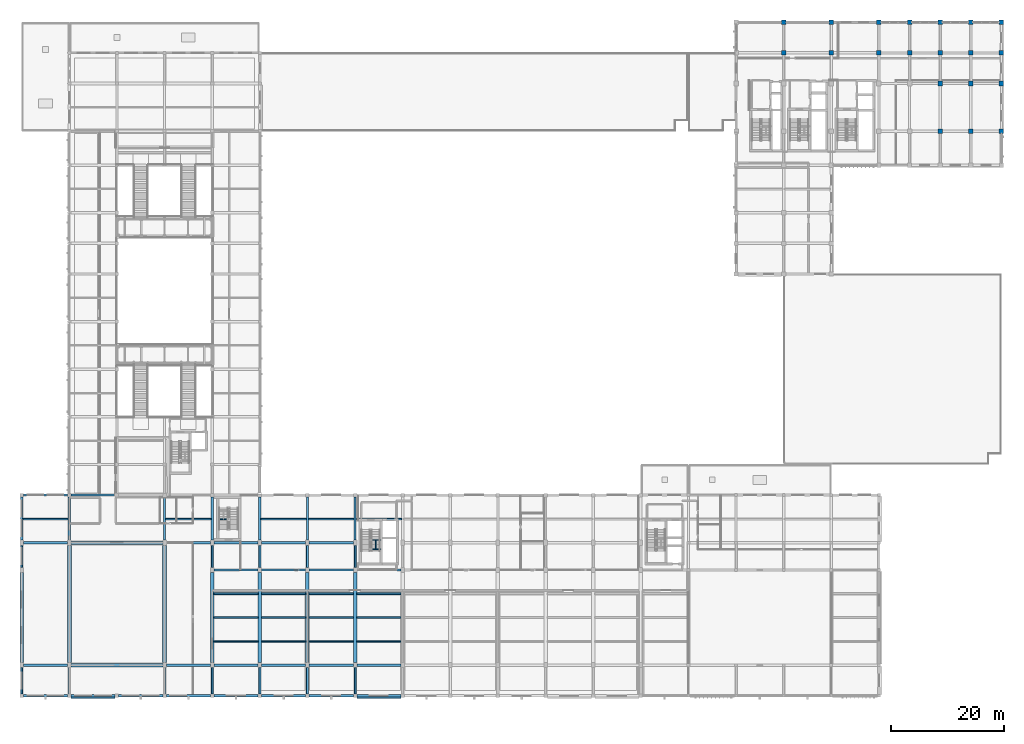
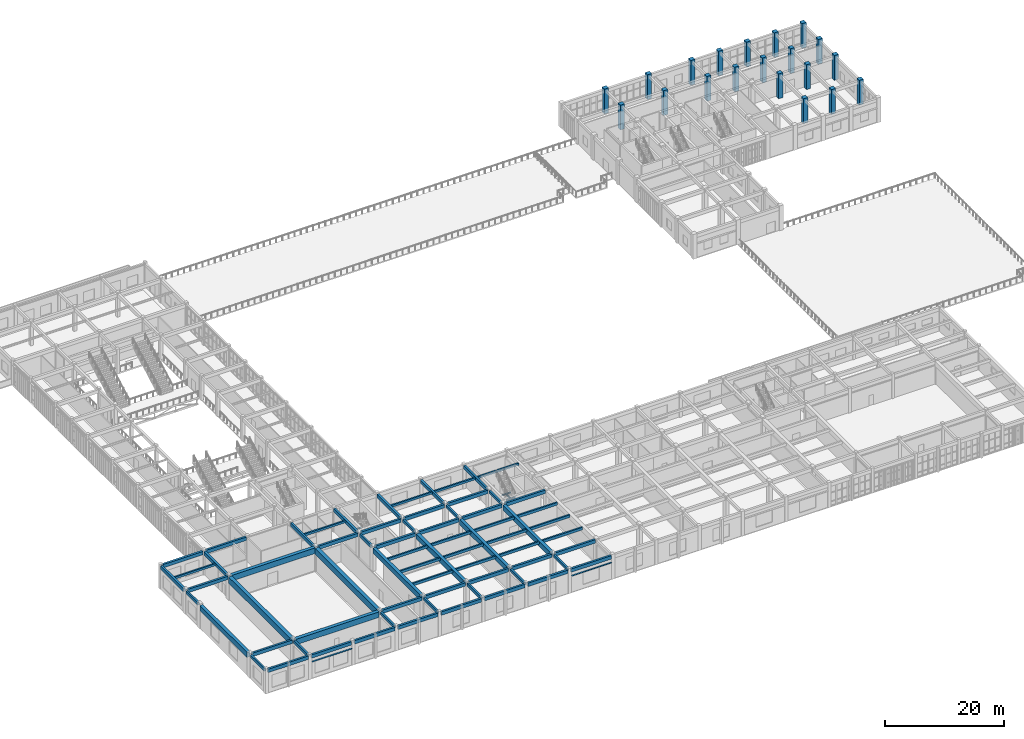
# One storey, part 14 of 93: 74 beams, 20 columns, 2 members.
"""IFC4 building model written with IfcOpenShell, lengths in metres."""

import ifcopenshell
import ifcopenshell.guid

model = None  # the IFC model being written
_history = None  # IfcOwnerHistory: only IFC2X3 demands one
_inside = {}  # id of a spatial element -> (the spatial element, [elements in it])
_under = {}  # id of a project, library or spatial element -> (it, [spatial elements below it])
_declared = {}  # id of a project -> (the project, [libraries it declares])
_typed = {}  # id of a type object -> (the type object, [elements of that type])
_made_of = {}  # id of a material, layer set ... -> (it, [elements and type objects made of it])


def new_model(schema):
    """Start an empty IFC model of exactly this schema.

    Asked for "IFC4X3", IfcOpenShell would pick the latest addendum, in which some entities
    have other attributes; the version numbers below select the first issue.
    IFC2X3 requires an IfcOwnerHistory on every rooted entity: one is made here for all.
    """
    global model, _history
    if schema == "IFC4X3":
        model = ifcopenshell.file(schema_version=(4, 3, 0, 0))
    else:
        model = ifcopenshell.file(schema=schema)
    _inside.clear()
    _under.clear()
    _declared.clear()
    _typed.clear()
    _made_of.clear()
    _history = None
    if model.schema == "IFC2X3":
        org = make("IfcOrganization", Name="unknown")
        user = make(
            "IfcPersonAndOrganization",
            ThePerson=make("IfcPerson", FamilyName="unknown"),
            TheOrganization=org,
        )
        app = make(
            "IfcApplication",
            ApplicationDeveloper=org,
            Version="unknown",
            ApplicationFullName="unknown",
            ApplicationIdentifier="unknown",
        )
        _history = make(
            "IfcOwnerHistory",
            OwningUser=user,
            OwningApplication=app,
            ChangeAction="ADDED",
            CreationDate=0,
        )
    return model


def make(cls, **values):
    """One entity of the class cls with the attributes given. An attribute that is None is left unset."""
    return model.create_entity(
        cls, **{name: value for name, value in values.items() if value is not None}
    )


def rooted(cls, **values):
    """An entity with a GlobalId (a new one), such as an element, a storey or a relation."""
    return make(cls, GlobalId=ifcopenshell.guid.new(), OwnerHistory=_history, **values)


def si_unit(unit_type, name, prefix=None):
    """IfcSIUnit, for example si_unit("LENGTHUNIT", "METRE", prefix="MILLI")."""
    return make("IfcSIUnit", UnitType=unit_type, Prefix=prefix, Name=name)


def assignment(units):
    """IfcUnitAssignment: the units of a project."""
    return None if units is None else make("IfcUnitAssignment", Units=units)


def point(xyz):
    """IfcCartesianPoint."""
    return None if xyz is None else make("IfcCartesianPoint", Coordinates=xyz)


def direction(xyz):
    """IfcDirection."""
    return None if xyz is None else make("IfcDirection", DirectionRatios=xyz)


def frame(location, z_axis=None, x_axis=None):
    """IfcAxis2Placement3D, a coordinate frame: its origin and axes. An axis left out is left unset."""
    return make(
        "IfcAxis2Placement3D",
        Location=point(location),
        Axis=direction(z_axis),
        RefDirection=direction(x_axis),
    )


def frame_2d(location, x_axis=None):
    """IfcAxis2Placement2D, a coordinate frame in the plane: its origin and x axis."""
    return make(
        "IfcAxis2Placement2D", Location=point(location), RefDirection=direction(x_axis)
    )


def origin():
    """The frame at (0, 0, 0) with its axes left unset."""
    return frame((0.0, 0.0, 0.0))


def origin_2d():
    """The frame at (0, 0) in the plane with its x axis left unset."""
    return frame_2d((0.0, 0.0))


def place(relative_to, where):
    """IfcLocalPlacement: puts the frame where relative to a parent placement (None: the world)."""
    return make(
        "IfcLocalPlacement", PlacementRelTo=relative_to, RelativePlacement=where
    )


def context(
    kind, dimensions, precision=None, world=None, true_north=None, identifier=None
):
    """IfcGeometricRepresentationContext, for example the 3D "Model" context."""
    return make(
        "IfcGeometricRepresentationContext",
        ContextIdentifier=identifier,
        ContextType=kind,
        CoordinateSpaceDimension=dimensions,
        Precision=precision,
        WorldCoordinateSystem=world,
        TrueNorth=true_north,
    )


def subcontext(parent, identifier, kind, view, scale=None):
    """IfcGeometricRepresentationSubContext, for example "Body" below "Model"."""
    return make(
        "IfcGeometricRepresentationSubContext",
        ContextIdentifier=identifier,
        ContextType=kind,
        ParentContext=parent,
        TargetScale=scale,
        TargetView=view,
    )


def project(units=None, contexts=None):
    """IfcProject with its units and contexts."""
    return rooted(
        "IfcProject",
        Name="project",
        RepresentationContexts=contexts,
        UnitsInContext=assignment(units),
    )


def spatial(cls, under=None, at=None, **own):
    """A site, building, storey or space (cls), placed at a placement, below another one or the project."""
    s = rooted(cls, ObjectPlacement=at, **own)
    if under is not None:
        _under.setdefault(under.id(), (under, []))[1].append(s)
    return s


def profile(cls, at=None, kind="AREA", **sizes):
    """A parametric profile (cls). Its sizes go by their IFC names, for example OverallWidth=200.0."""
    return make(cls, ProfileType=kind, Position=at, **sizes)


def rectangle(**sizes):
    """IfcRectangleProfileDef."""
    return profile("IfcRectangleProfileDef", **sizes)


def hollow_rectangle(**sizes):
    """IfcRectangleHollowProfileDef."""
    return profile("IfcRectangleHollowProfileDef", **sizes)


def i_section(**sizes):
    """IfcIShapeProfileDef."""
    return profile("IfcIShapeProfileDef", **sizes)


def extrude(swept, where, along, depth):
    """IfcExtrudedAreaSolid: the profile swept, set in the frame where, extruded along a direction by depth."""
    return make(
        "IfcExtrudedAreaSolid",
        SweptArea=swept,
        Position=where,
        ExtrudedDirection=direction(along),
        Depth=depth,
    )


def shape(context_of_items, identifier, shape_type, items):
    """IfcShapeRepresentation: the items that make up one representation, for example the "Body"."""
    return make(
        "IfcShapeRepresentation",
        ContextOfItems=context_of_items,
        RepresentationIdentifier=identifier,
        RepresentationType=shape_type,
        Items=items,
    )


def material(Name=None, Category=None):
    """IfcMaterial."""
    return make("IfcMaterial", Name=Name, Category=Category)


def material_profile(
    of_material, cross_section, Name=None, Category=None, Priority=None
):
    """IfcMaterialProfile: a cross section and its material."""
    return make(
        "IfcMaterialProfile",
        Name=Name,
        Material=of_material,
        Profile=cross_section,
        Priority=Priority,
        Category=Category,
    )


def profile_set(profiles, Name=None, composite=None):
    """IfcMaterialProfileSet."""
    return make(
        "IfcMaterialProfileSet",
        Name=Name,
        MaterialProfiles=profiles,
        CompositeProfile=composite,
    )


def made_of(thing, what):
    """Note that an element or type object is made of a material, layer set ...; save() writes the relation."""
    if what is not None:
        _made_of.setdefault(what.id(), (what, []))[1].append(thing)
    return thing


def type_object(cls, material=None, **own):
    """A type object (cls), such as IfcWallType, which elements share."""
    return made_of(rooted(cls, **own), material)


def element(
    cls,
    number,
    at=None,
    inside=None,
    cuts=None,
    type_object=None,
    material=None,
    context=None,
    identifier="Body",
    shape_type=None,
    held_by="IfcProductDefinitionShape",
    body=None,
    shapes=None,
    **own,
):
    """One element of the class cls, such as IfcWall. Its Tag is "e" and its number.

    at: its placement. inside: the storey or other place that contains it. cuts: it is an
    opening in that element (IfcRelVoidsElement). A single representation is given by context,
    identifier, shape_type and body (its items); several are given by shapes. held_by: the class
    of the entity that holds the representations. save() writes the other relations.
    """
    e = rooted(cls, Tag="e%d" % number, ObjectPlacement=at, **own)
    if body is not None:
        shapes = [shape(context, identifier, shape_type, body)]
    if shapes is not None:
        e.Representation = make(held_by, Representations=shapes)
    if inside is not None:
        _inside.setdefault(inside.id(), (inside, []))[1].append(e)
    if cuts is not None:
        rooted(
            "IfcRelVoidsElement", RelatingBuildingElement=cuts, RelatedOpeningElement=e
        )
    if type_object is not None:
        _typed.setdefault(type_object.id(), (type_object, []))[1].append(e)
    return made_of(e, material)


def aggregate(whole, parts):
    """IfcRelAggregates: a whole, such as a stair, and the parts it consists of."""
    return rooted("IfcRelAggregates", RelatingObject=whole, RelatedObjects=parts)


def save(model, path):
    """Write the relations noted so far, then the file.

    IfcRelAggregates (storeys below a building ...), IfcRelContainedInSpatialStructure (elements
    in a storey), IfcRelDefinesByType, IfcRelAssociatesMaterial and IfcRelDeclares: one each for
    every whole, place, type object, material and project.
    """
    for whole, parts in _under.values():
        aggregate(whole, parts)
    for where, things in _inside.values():
        rooted(
            "IfcRelContainedInSpatialStructure",
            RelatedElements=things,
            RelatingStructure=where,
        )
    for kind, things in _typed.values():
        rooted("IfcRelDefinesByType", RelatedObjects=things, RelatingType=kind)
    for what, things in _made_of.values():
        rooted("IfcRelAssociatesMaterial", RelatedObjects=things, RelatingMaterial=what)
    for by, libraries in _declared.values():
        rooted("IfcRelDeclares", RelatingContext=by, RelatedDefinitions=libraries)
    model.write(path)


model = new_model("IFC4")

# Units and contexts
model_context = context("Model", 3, precision=1e-05, world=origin(), true_north=direction((0.0, 1.0)))
body_context = subcontext(model_context, "Body", "Model", "MODEL_VIEW")
ifc_project = project(units=[si_unit("LENGTHUNIT", "METRE"), si_unit("AREAUNIT", "SQUARE_METRE"), si_unit("VOLUMEUNIT", "CUBIC_METRE"), si_unit("PLANEANGLEUNIT", "RADIAN"), si_unit("MASSUNIT", "GRAM", prefix="KILO")], contexts=[model_context])

# Site, building, storey
site_placement = place(None, origin())
site = spatial("IfcSite", under=ifc_project, at=site_placement, CompositionType="ELEMENT")
building_placement = place(site_placement, origin())
building = spatial("IfcBuilding", under=site, at=building_placement, Name="Krzemoval Escarpment Law Courts", CompositionType="ELEMENT")
storey_placement = place(building_placement, frame((0.0, 0.0, 10.199951171875)))
storey = spatial("IfcBuildingStorey", under=building, at=storey_placement, Name="L02", CompositionType="ELEMENT", Elevation=10.199951171875)

# Columns
ifc_material_1 = material(Name="Concrete C40/50", Category="concrete")
ifc_material_profile_1 = material_profile(ifc_material_1, rectangle(XDim=0.800048828125, YDim=0.800048828125, at=origin_2d()), Name="RC 800x800")
ifc_profile_set_1 = profile_set([ifc_material_profile_1], Name="Concrete C40/50")
column_type = type_object("IfcColumnType", Name="COL-RC-800", PredefinedType="COLUMN", material=ifc_profile_set_1)
for number, where, z_axis, x_axis, name in (
    (1, (134.39990234375, 113.39990234375, 0.0), (0.0, 0.0, 1.0), (1.0, 0.0, 0.0), "Column FC-L02-0953"),
    (2, (134.39990234375, 118.800048828125, 0.0), (0.0, 0.0, 1.0), (1.0, 0.0, 0.0), "Column FC-L02-0954"),
    (3, (142.800048828125, 113.39990234375, 0.0), (0.0, 0.0, 1.0), (1.0, 0.0, 0.0), "Column FC-L02-0966"),
    (4, (142.800048828125, 118.800048828125, 0.0), (0.0, 0.0, 1.0), (1.0, 0.0, 0.0), "Column FC-L02-0967"),
    (5, (151.199951171875, 113.39990234375, 0.0), (0.0, 0.0, 1.0), (1.0, 0.0, 0.0), "Column FC-L02-0976"),
    (6, (151.199951171875, 118.800048828125, 0.0), (0.0, 0.0, 1.0), (1.0, 0.0, 0.0), "Column FC-L02-0977"),
    (7, (156.60009765625, 113.39990234375, 0.0), (0.0, 0.0, 1.0), (1.0, 0.0, 0.0), "Column FC-L02-0981"),
    (8, (156.60009765625, 118.800048828125, 0.0), (0.0, 0.0, 1.0), (1.0, 0.0, 0.0), "Column FC-L02-0982"),
    (9, (162.0, 99.60009765625, 0.0), (0.0, 0.0, 1.0), (1.0, 0.0, 0.0), "Column FC-L02-0984"),
    (10, (162.0, 108.0, 0.0), (0.0, 0.0, 1.0), (1.0, 0.0, 0.0), "Column FC-L02-0985"),
    (11, (162.0, 113.39990234375, 0.0), (0.0, 0.0, 1.0), (1.0, 0.0, 0.0), "Column FC-L02-0986"),
    (12, (162.0, 118.800048828125, 0.0), (0.0, 0.0, 1.0), (1.0, 0.0, 0.0), "Column FC-L02-0987"),
    (13, (167.39990234375, 99.60009765625, 0.0), (0.0, 0.0, 1.0), (1.0, 0.0, 0.0), "Column FC-L02-0989"),
    (14, (167.39990234375, 108.0, 0.0), (0.0, 0.0, 1.0), (1.0, 0.0, 0.0), "Column FC-L02-0990"),
    (15, (167.39990234375, 113.39990234375, 0.0), (0.0, 0.0, 1.0), (1.0, 0.0, 0.0), "Column FC-L02-0991"),
    (16, (167.39990234375, 118.800048828125, 0.0), (0.0, 0.0, 1.0), (1.0, 0.0, 0.0), "Column FC-L02-0992"),
    (17, (172.800048828125, 99.60009765625, 0.0), (0.0, 0.0, 1.0), (1.0, 0.0, 0.0), "Column FC-L02-0994"),
    (18, (172.800048828125, 108.0, 0.0), (0.0, 0.0, 1.0), (1.0, 0.0, 0.0), "Column FC-L02-0995"),
    (19, (172.800048828125, 113.39990234375, 0.0), (0.0, 0.0, 1.0), (1.0, 0.0, 0.0), "Column FC-L02-0996"),
    (20, (172.800048828125, 118.800048828125, 0.0), (0.0, 0.0, 1.0), (1.0, 0.0, 0.0), "Column FC-L02-0997"),
):
    element("IfcColumn", number, at=place(storey_placement, frame(where, z_axis=z_axis, x_axis=x_axis)), inside=storey, type_object=column_type, Name=name, PredefinedType="COLUMN", context=body_context, shape_type="SweptSolid", body=[
        extrude(rectangle(XDim=0.800048828125, YDim=0.800048828125, at=origin_2d()), origin(), (0.0, 0.0, 1.0), 5.10009765625),
    ])

# Beams
ifc_material_2 = material(Name="Concrete C50/60", Category="concrete")
ifc_material_profile_2 = material_profile(ifc_material_2, rectangle(XDim=0.60009765625, YDim=1.050048828125, at=origin_2d()), Name="PTG 600x1050")
ifc_profile_set_2 = profile_set([ifc_material_profile_2], Name="Concrete C50/60")
beam_type_1 = type_object("IfcBeamType", Name="BM-PTG-600x1050", PredefinedType="BEAM", material=ifc_profile_set_2)
for number, where, z_axis, x_axis, name in (
    (21, (0.0, 5.85009765625, 4.295166015625), (0.0, 1.0, 0.0), (-1.0, 0.0, 0.0), "Beam FG-L02-1854"),
    (22, (33.60009765625, 5.85009765625, 4.295166015625), (0.0, 1.0, 0.0), (-1.0, 0.0, 0.0), "Beam FG-L02-1891"),
    (23, (42.0, 5.85009765625, 4.295166015625), (0.0, 1.0, 0.0), (-1.0, 0.0, 0.0), "Beam FG-L02-1906"),
    (24, (50.39990234375, 5.85009765625, 4.295166015625), (0.0, 1.0, 0.0), (-1.0, 0.0, 0.0), "Beam FG-L02-1921"),
    (25, (58.800048828125, 5.85009765625, 4.295166015625), (0.0, 1.0, 0.0), (-1.0, 0.0, 0.0), "Beam FG-L02-1925"),
):
    element("IfcBeam", number, at=place(storey_placement, frame(where, z_axis=z_axis, x_axis=x_axis)), inside=storey, type_object=beam_type_1, Name=name, PredefinedType="BEAM", context=body_context, shape_type="SweptSolid", body=[
        extrude(rectangle(XDim=0.60009765625, YDim=1.050048828125, at=origin_2d()), origin(), (0.0, 0.0, 1.0), 15.89990234375),
    ])
ifc_material_3 = material(Name="Concrete C50/60", Category="concrete")
ifc_material_profile_3 = material_profile(ifc_material_3, rectangle(XDim=0.64990234375, YDim=1.14990234375, at=origin_2d()), Name="PTG 650x1150")
ifc_profile_set_3 = profile_set([ifc_material_profile_3], Name="Concrete C50/60")
beam_type_2 = type_object("IfcBeamType", Name="BM-PTG-650x1150", PredefinedType="BEAM", material=ifc_profile_set_3)
for number, where, z_axis, x_axis, name in (
    (26, (8.699951171875, 5.39990234375, 4.2451171875), (1.0, 0.0, 0.0), (0.0, 1.0, 0.0), "Beam FG-L02-1722"),
    (27, (8.699951171875, 27.0, 4.2451171875), (1.0, 0.0, 0.0), (0.0, 1.0, 0.0), "Beam FG-L02-1753"),
):
    element("IfcBeam", number, at=place(storey_placement, frame(where, z_axis=z_axis, x_axis=x_axis)), inside=storey, type_object=beam_type_2, Name=name, PredefinedType="BEAM", context=body_context, shape_type="SweptSolid", body=[
        extrude(rectangle(XDim=0.64990234375, YDim=1.14990234375, at=origin_2d()), origin(), (0.0, 0.0, 1.0), 16.199951171875),
    ])
ifc_material_4 = material(Name="Concrete C50/60", Category="concrete")
ifc_material_profile_4 = material_profile(ifc_material_4, rectangle(XDim=0.699951171875, YDim=1.25, at=origin_2d()), Name="PTG 700x1250")
ifc_profile_set_4 = profile_set([ifc_material_profile_4], Name="Concrete C50/60")
beam_type_3 = type_object("IfcBeamType", Name="BM-PTG-700x1250", PredefinedType="BEAM", material=ifc_profile_set_4)
for number, where, z_axis, x_axis, name in (
    (28, (8.39990234375, 5.85009765625, 4.195068359375), (0.0, 1.0, 0.0), (-1.0, 0.0, 0.0), "Beam FG-L02-1858"),
    (29, (25.199951171875, 5.85009765625, 4.195068359375), (0.0, 1.0, 0.0), (-1.0, 0.0, 0.0), "Beam FG-L02-1883"),
):
    element("IfcBeam", number, at=place(storey_placement, frame(where, z_axis=z_axis, x_axis=x_axis)), inside=storey, type_object=beam_type_3, Name=name, PredefinedType="BEAM", context=body_context, shape_type="SweptSolid", body=[
        extrude(rectangle(XDim=0.699951171875, YDim=1.25, at=origin_2d()), origin(), (0.0, 0.0, 1.0), 20.699951171875),
    ])
ifc_material_5 = material(Name="Concrete C40/50", Category="concrete")
ifc_material_profile_5 = material_profile(ifc_material_5, rectangle(XDim=0.35009765625, YDim=0.550048828125, at=origin_2d()), Name="RCB 350x550")
ifc_profile_set_5 = profile_set([ifc_material_profile_5], Name="Concrete C40/50")
beam_type_4 = type_object("IfcBeamType", Name="BM-RC-350x550", PredefinedType="BEAM", material=ifc_profile_set_5)
beam_1_placement = place(storey_placement, frame((0.0, 0.300048828125, 4.545166015625), z_axis=(0.0, 1.0, 0.0), x_axis=(-1.0, 0.0, 0.0)))
element("IfcBeam", 30, at=beam_1_placement, inside=storey, type_object=beam_type_4, Name="Beam FG-L02-1853", PredefinedType="BEAM", context=body_context, shape_type="SweptSolid", body=[
    extrude(rectangle(XDim=0.35009765625, YDim=0.550048828125, at=origin_2d()), origin(), (0.0, 0.0, 1.0), 4.64990234375),
])
beam_2_placement = place(storey_placement, frame((0.0, 22.64990234375, 4.545166015625), z_axis=(0.0, 1.0, 0.0), x_axis=(-1.0, 0.0, 0.0)))
element("IfcBeam", 31, at=beam_2_placement, inside=storey, type_object=beam_type_4, Name="Beam FG-L02-1855", PredefinedType="BEAM", context=body_context, shape_type="SweptSolid", body=[
    extrude(rectangle(XDim=0.35009765625, YDim=0.550048828125, at=origin_2d()), origin(), (0.0, 0.0, 1.0), 3.900146484375),
])
for number, where, z_axis, x_axis, name in (
    (32, (8.39990234375, 0.300048828125, 4.545166015625), (0.0, 1.0, 0.0), (-1.0, 0.0, 0.0), "Beam FG-L02-1857"),
    (33, (25.199951171875, 0.300048828125, 4.545166015625), (0.0, 1.0, 0.0), (-1.0, 0.0, 0.0), "Beam FG-L02-1882"),
    (34, (33.60009765625, 0.300048828125, 4.545166015625), (0.0, 1.0, 0.0), (-1.0, 0.0, 0.0), "Beam FG-L02-1890"),
):
    element("IfcBeam", number, at=place(storey_placement, frame(where, z_axis=z_axis, x_axis=x_axis)), inside=storey, type_object=beam_type_4, Name=name, PredefinedType="BEAM", context=body_context, shape_type="SweptSolid", body=[
        extrude(rectangle(XDim=0.35009765625, YDim=0.550048828125, at=origin_2d()), origin(), (0.0, 0.0, 1.0), 4.64990234375),
    ])
beam_3_placement = place(storey_placement, frame((33.60009765625, 22.64990234375, 4.545166015625), z_axis=(0.0, 1.0, 0.0), x_axis=(-1.0, 0.0, 0.0)))
element("IfcBeam", 35, at=beam_3_placement, inside=storey, type_object=beam_type_4, Name="Beam FG-L02-1892", PredefinedType="BEAM", context=body_context, shape_type="SweptSolid", body=[
    extrude(rectangle(XDim=0.35009765625, YDim=0.550048828125, at=origin_2d()), origin(), (0.0, 0.0, 1.0), 3.900146484375),
])
beam_4_placement = place(storey_placement, frame((42.0, 0.300048828125, 4.545166015625), z_axis=(0.0, 1.0, 0.0), x_axis=(-1.0, 0.0, 0.0)))
element("IfcBeam", 36, at=beam_4_placement, inside=storey, type_object=beam_type_4, Name="Beam FG-L02-1905", PredefinedType="BEAM", context=body_context, shape_type="SweptSolid", body=[
    extrude(rectangle(XDim=0.35009765625, YDim=0.550048828125, at=origin_2d()), origin(), (0.0, 0.0, 1.0), 4.64990234375),
])
beam_5_placement = place(storey_placement, frame((42.0, 22.64990234375, 4.545166015625), z_axis=(0.0, 1.0, 0.0), x_axis=(-1.0, 0.0, 0.0)))
element("IfcBeam", 37, at=beam_5_placement, inside=storey, type_object=beam_type_4, Name="Beam FG-L02-1907", PredefinedType="BEAM", context=body_context, shape_type="SweptSolid", body=[
    extrude(rectangle(XDim=0.35009765625, YDim=0.550048828125, at=origin_2d()), origin(), (0.0, 0.0, 1.0), 3.900146484375),
])
beam_6_placement = place(storey_placement, frame((50.39990234375, 0.300048828125, 4.545166015625), z_axis=(0.0, 1.0, 0.0), x_axis=(-1.0, 0.0, 0.0)))
element("IfcBeam", 38, at=beam_6_placement, inside=storey, type_object=beam_type_4, Name="Beam FG-L02-1920", PredefinedType="BEAM", context=body_context, shape_type="SweptSolid", body=[
    extrude(rectangle(XDim=0.35009765625, YDim=0.550048828125, at=origin_2d()), origin(), (0.0, 0.0, 1.0), 4.64990234375),
])
beam_7_placement = place(storey_placement, frame((50.39990234375, 22.64990234375, 4.545166015625), z_axis=(0.0, 1.0, 0.0), x_axis=(-1.0, 0.0, 0.0)))
element("IfcBeam", 39, at=beam_7_placement, inside=storey, type_object=beam_type_4, Name="Beam FG-L02-1922", PredefinedType="BEAM", context=body_context, shape_type="SweptSolid", body=[
    extrude(rectangle(XDim=0.35009765625, YDim=0.550048828125, at=origin_2d()), origin(), (0.0, 0.0, 1.0), 3.900146484375),
])
beam_8_placement = place(storey_placement, frame((58.800048828125, 0.300048828125, 4.545166015625), z_axis=(0.0, 1.0, 0.0), x_axis=(-1.0, 0.0, 0.0)))
element("IfcBeam", 40, at=beam_8_placement, inside=storey, type_object=beam_type_4, Name="Beam FG-L02-1924", PredefinedType="BEAM", context=body_context, shape_type="SweptSolid", body=[
    extrude(rectangle(XDim=0.35009765625, YDim=0.550048828125, at=origin_2d()), origin(), (0.0, 0.0, 1.0), 4.64990234375),
])
beam_9_placement = place(storey_placement, frame((58.800048828125, 22.64990234375, 4.545166015625), z_axis=(0.0, 1.0, 0.0), x_axis=(-1.0, 0.0, 0.0)))
element("IfcBeam", 41, at=beam_9_placement, inside=storey, type_object=beam_type_4, Name="Beam FG-L02-1926", PredefinedType="BEAM", context=body_context, shape_type="SweptSolid", body=[
    extrude(rectangle(XDim=0.35009765625, YDim=0.550048828125, at=origin_2d()), origin(), (0.0, 0.0, 1.0), 3.900146484375),
])
ifc_material_6 = material(Name="Concrete C40/50", Category="concrete")
ifc_material_profile_6 = material_profile(ifc_material_6, rectangle(XDim=0.39990234375, YDim=0.699951171875, at=origin_2d()), Name="RCB 400x700")
ifc_profile_set_6 = profile_set([ifc_material_profile_6], Name="Concrete C40/50")
beam_type_5 = type_object("IfcBeamType", Name="BM-RC-400x700", PredefinedType="BEAM", material=ifc_profile_set_6)
for number, where, z_axis, x_axis, name in (
    (42, (0.300048828125, 0.0, 4.469970703125), (1.0, 0.0, 0.0), (0.0, 1.0, 0.0), "Beam FG-L02-1703"),
    (43, (8.699951171875, 0.0, 4.469970703125), (1.0, 0.0, 0.0), (0.0, 1.0, 0.0), "Beam FG-L02-1704"),
):
    element("IfcBeam", number, at=place(storey_placement, frame(where, z_axis=z_axis, x_axis=x_axis)), inside=storey, type_object=beam_type_5, Name=name, PredefinedType="BEAM", context=body_context, shape_type="SweptSolid", body=[
        extrude(rectangle(XDim=0.39990234375, YDim=0.699951171875, at=origin_2d()), origin(), (0.0, 0.0, 1.0), 7.800048828125),
    ])
beam_10_placement = place(storey_placement, frame((17.10009765625, 0.0, 4.469970703125), z_axis=(1.0, 0.0, 0.0), x_axis=(0.0, 1.0, 0.0)))
element("IfcBeam", 44, at=beam_10_placement, inside=storey, type_object=beam_type_5, Name="Beam FG-L02-1705", PredefinedType="BEAM", context=body_context, shape_type="SweptSolid", body=[
    extrude(rectangle(XDim=0.39990234375, YDim=0.699951171875, at=origin_2d()), origin(), (0.0, 0.0, 1.0), 7.7998046875),
])
for number, where, z_axis, x_axis, name in (
    (45, (25.5, 0.0, 4.469970703125), (1.0, 0.0, 0.0), (0.0, 1.0, 0.0), "Beam FG-L02-1706"),
    (46, (33.89990234375, 0.0, 4.469970703125), (1.0, 0.0, 0.0), (0.0, 1.0, 0.0), "Beam FG-L02-1707"),
    (47, (42.300048828125, 0.0, 4.469970703125), (1.0, 0.0, 0.0), (0.0, 1.0, 0.0), "Beam FG-L02-1708"),
    (48, (50.699951171875, 0.0, 4.469970703125), (1.0, 0.0, 0.0), (0.0, 1.0, 0.0), "Beam FG-L02-1709"),
):
    element("IfcBeam", number, at=place(storey_placement, frame(where, z_axis=z_axis, x_axis=x_axis)), inside=storey, type_object=beam_type_5, Name=name, PredefinedType="BEAM", context=body_context, shape_type="SweptSolid", body=[
        extrude(rectangle(XDim=0.39990234375, YDim=0.699951171875, at=origin_2d()), origin(), (0.0, 0.0, 1.0), 7.800048828125),
    ])
beam_11_placement = place(storey_placement, frame((59.10009765625, 0.0, 4.469970703125), z_axis=(1.0, 0.0, 0.0), x_axis=(0.0, 1.0, 0.0)))
element("IfcBeam", 49, at=beam_11_placement, inside=storey, type_object=beam_type_5, Name="Beam FG-L02-1710", PredefinedType="BEAM", context=body_context, shape_type="SweptSolid", body=[
    extrude(rectangle(XDim=0.39990234375, YDim=0.699951171875, at=origin_2d()), origin(), (0.0, 0.0, 1.0), 7.7998046875),
])
for number, where, z_axis, x_axis, name in (
    (50, (0.300048828125, 5.39990234375, 4.469970703125), (1.0, 0.0, 0.0), (0.0, 1.0, 0.0), "Beam FG-L02-1721"),
    (51, (25.5, 5.39990234375, 4.469970703125), (1.0, 0.0, 0.0), (0.0, 1.0, 0.0), "Beam FG-L02-1723"),
    (52, (33.89990234375, 5.39990234375, 4.469970703125), (1.0, 0.0, 0.0), (0.0, 1.0, 0.0), "Beam FG-L02-1724"),
    (53, (42.300048828125, 5.39990234375, 4.469970703125), (1.0, 0.0, 0.0), (0.0, 1.0, 0.0), "Beam FG-L02-1725"),
    (54, (50.699951171875, 5.39990234375, 4.469970703125), (1.0, 0.0, 0.0), (0.0, 1.0, 0.0), "Beam FG-L02-1726"),
):
    element("IfcBeam", number, at=place(storey_placement, frame(where, z_axis=z_axis, x_axis=x_axis)), inside=storey, type_object=beam_type_5, Name=name, PredefinedType="BEAM", context=body_context, shape_type="SweptSolid", body=[
        extrude(rectangle(XDim=0.39990234375, YDim=0.699951171875, at=origin_2d()), origin(), (0.0, 0.0, 1.0), 7.800048828125),
    ])
beam_12_placement = place(storey_placement, frame((59.10009765625, 5.39990234375, 4.469970703125), z_axis=(1.0, 0.0, 0.0), x_axis=(0.0, 1.0, 0.0)))
element("IfcBeam", 55, at=beam_12_placement, inside=storey, type_object=beam_type_5, Name="Beam FG-L02-1727", PredefinedType="BEAM", context=body_context, shape_type="SweptSolid", body=[
    extrude(rectangle(XDim=0.39990234375, YDim=0.699951171875, at=origin_2d()), origin(), (0.0, 0.0, 1.0), 7.7998046875),
])
for number, where, z_axis, x_axis, name in (
    (56, (33.89990234375, 22.199951171875, 4.469970703125), (1.0, 0.0, 0.0), (0.0, 1.0, 0.0), "Beam FG-L02-1738"),
    (57, (42.300048828125, 22.199951171875, 4.469970703125), (1.0, 0.0, 0.0), (0.0, 1.0, 0.0), "Beam FG-L02-1739"),
    (58, (50.699951171875, 22.199951171875, 4.469970703125), (1.0, 0.0, 0.0), (0.0, 1.0, 0.0), "Beam FG-L02-1740"),
):
    element("IfcBeam", number, at=place(storey_placement, frame(where, z_axis=z_axis, x_axis=x_axis)), inside=storey, type_object=beam_type_5, Name=name, PredefinedType="BEAM", context=body_context, shape_type="SweptSolid", body=[
        extrude(rectangle(XDim=0.39990234375, YDim=0.699951171875, at=origin_2d()), origin(), (0.0, 0.0, 1.0), 7.800048828125),
    ])
beam_13_placement = place(storey_placement, frame((59.10009765625, 22.199951171875, 4.469970703125), z_axis=(1.0, 0.0, 0.0), x_axis=(0.0, 1.0, 0.0)))
element("IfcBeam", 59, at=beam_13_placement, inside=storey, type_object=beam_type_5, Name="Beam FG-L02-1741", PredefinedType="BEAM", context=body_context, shape_type="SweptSolid", body=[
    extrude(rectangle(XDim=0.39990234375, YDim=0.699951171875, at=origin_2d()), origin(), (0.0, 0.0, 1.0), 7.7998046875),
])
for number, where, z_axis, x_axis, name in (
    (60, (0.300048828125, 27.0, 4.469970703125), (1.0, 0.0, 0.0), (0.0, 1.0, 0.0), "Beam FG-L02-1752"),
    (61, (25.5, 27.0, 4.469970703125), (1.0, 0.0, 0.0), (0.0, 1.0, 0.0), "Beam FG-L02-1754"),
    (62, (33.89990234375, 27.0, 4.469970703125), (1.0, 0.0, 0.0), (0.0, 1.0, 0.0), "Beam FG-L02-1755"),
    (63, (42.300048828125, 27.0, 4.469970703125), (1.0, 0.0, 0.0), (0.0, 1.0, 0.0), "Beam FG-L02-1756"),
    (64, (50.699951171875, 27.0, 4.469970703125), (1.0, 0.0, 0.0), (0.0, 1.0, 0.0), "Beam FG-L02-1757"),
    (65, (0.300048828125, 35.39990234375, 4.469970703125), (1.0, 0.0, 0.0), (0.0, 1.0, 0.0), "Beam FG-L02-1767"),
    (66, (8.699951171875, 35.39990234375, 4.469970703125), (1.0, 0.0, 0.0), (0.0, 1.0, 0.0), "Beam FG-L02-1768"),
):
    element("IfcBeam", number, at=place(storey_placement, frame(where, z_axis=z_axis, x_axis=x_axis)), inside=storey, type_object=beam_type_5, Name=name, PredefinedType="BEAM", context=body_context, shape_type="SweptSolid", body=[
        extrude(rectangle(XDim=0.39990234375, YDim=0.699951171875, at=origin_2d()), origin(), (0.0, 0.0, 1.0), 7.800048828125),
    ])
for number, where, z_axis, x_axis, name in (
    (67, (0.0, 27.449951171875, 4.469970703125), (0.0, 1.0, 0.0), (-1.0, 0.0, 0.0), "Beam FG-L02-1856"),
    (68, (8.39990234375, 27.449951171875, 4.469970703125), (0.0, 1.0, 0.0), (-1.0, 0.0, 0.0), "Beam FG-L02-1859"),
    (69, (25.199951171875, 27.449951171875, 4.469970703125), (0.0, 1.0, 0.0), (-1.0, 0.0, 0.0), "Beam FG-L02-1884"),
    (70, (33.60009765625, 27.449951171875, 4.469970703125), (0.0, 1.0, 0.0), (-1.0, 0.0, 0.0), "Beam FG-L02-1893"),
    (71, (42.0, 27.449951171875, 4.469970703125), (0.0, 1.0, 0.0), (-1.0, 0.0, 0.0), "Beam FG-L02-1908"),
    (72, (50.39990234375, 27.449951171875, 4.469970703125), (0.0, 1.0, 0.0), (-1.0, 0.0, 0.0), "Beam FG-L02-1923"),
    (73, (58.800048828125, 27.449951171875, 4.469970703125), (0.0, 1.0, 0.0), (-1.0, 0.0, 0.0), "Beam FG-L02-1927"),
):
    element("IfcBeam", number, at=place(storey_placement, frame(where, z_axis=z_axis, x_axis=x_axis)), inside=storey, type_object=beam_type_5, Name=name, PredefinedType="BEAM", context=body_context, shape_type="SweptSolid", body=[
        extrude(rectangle(XDim=0.39990234375, YDim=0.699951171875, at=origin_2d()), origin(), (0.0, 0.0, 1.0), 7.650146484375),
    ])
ifc_material_7 = material(Name="Concrete C40/50", Category="concrete")
ifc_material_profile_7 = material_profile(ifc_material_7, rectangle(XDim=0.300048828125, YDim=0.449951171875, at=origin_2d()), Name="RCB 300x450")
ifc_profile_set_7 = profile_set([ifc_material_profile_7], Name="Concrete C40/50")
beam_type_6 = type_object("IfcBeamType", Name="JST-RC-300x450", PredefinedType="JOIST", material=ifc_profile_set_7)
for number, where, z_axis, x_axis, name in (
    (74, (0.199951171875, 31.199951171875, 4.594970703125), (1.0, 0.0, 0.0), (0.0, 1.0, 0.0), "Secondary Joist FJ-L02-2011"),
    (75, (25.39990234375, 31.199951171875, 4.594970703125), (1.0, 0.0, 0.0), (0.0, 1.0, 0.0), "Secondary Joist FJ-L02-2020"),
    (76, (42.199951171875, 31.199951171875, 4.594970703125), (1.0, 0.0, 0.0), (0.0, 1.0, 0.0), "Secondary Joist FJ-L02-2034"),
    (77, (50.60009765625, 31.199951171875, 4.594970703125), (1.0, 0.0, 0.0), (0.0, 1.0, 0.0), "Secondary Joist FJ-L02-2038"),
    (78, (59.0, 31.199951171875, 4.594970703125), (1.0, 0.0, 0.0), (0.0, 1.0, 0.0), "Secondary Joist FJ-L02-2042"),
):
    element("IfcBeam", number, at=place(storey_placement, frame(where, z_axis=z_axis, x_axis=x_axis)), inside=storey, type_object=beam_type_6, Name=name, PredefinedType="JOIST", context=body_context, shape_type="SweptSolid", body=[
        extrude(rectangle(XDim=0.300048828125, YDim=0.449951171875, at=origin_2d()), origin(), (0.0, 0.0, 1.0), 8.0),
    ])
ifc_material_8 = material(Name="Concrete C40/50", Category="concrete")
ifc_material_profile_8 = material_profile(ifc_material_8, rectangle(XDim=0.300048828125, YDim=0.550048828125, at=origin_2d()), Name="RCB 300x550")
ifc_profile_set_8 = profile_set([ifc_material_profile_8], Name="Concrete C40/50")
beam_type_7 = type_object("IfcBeamType", Name="JST-RC-300x550", PredefinedType="JOIST", material=ifc_profile_set_8)
for number, where, z_axis, x_axis, name in (
    (79, (33.89990234375, 9.60009765625, 4.545166015625), (1.0, 0.0, 0.0), (0.0, 1.0, 0.0), "Secondary Joist FJ-L02-2022"),
    (80, (33.89990234375, 13.800048828125, 4.545166015625), (1.0, 0.0, 0.0), (0.0, 1.0, 0.0), "Secondary Joist FJ-L02-2023"),
    (81, (33.89990234375, 18.0, 4.545166015625), (1.0, 0.0, 0.0), (0.0, 1.0, 0.0), "Secondary Joist FJ-L02-2024"),
    (82, (42.300048828125, 9.60009765625, 4.545166015625), (1.0, 0.0, 0.0), (0.0, 1.0, 0.0), "Secondary Joist FJ-L02-2031"),
    (83, (42.300048828125, 13.800048828125, 4.545166015625), (1.0, 0.0, 0.0), (0.0, 1.0, 0.0), "Secondary Joist FJ-L02-2032"),
    (84, (42.300048828125, 18.0, 4.545166015625), (1.0, 0.0, 0.0), (0.0, 1.0, 0.0), "Secondary Joist FJ-L02-2033"),
    (85, (50.699951171875, 9.60009765625, 4.545166015625), (1.0, 0.0, 0.0), (0.0, 1.0, 0.0), "Secondary Joist FJ-L02-2035"),
    (86, (50.699951171875, 13.800048828125, 4.545166015625), (1.0, 0.0, 0.0), (0.0, 1.0, 0.0), "Secondary Joist FJ-L02-2036"),
    (87, (50.699951171875, 18.0, 4.545166015625), (1.0, 0.0, 0.0), (0.0, 1.0, 0.0), "Secondary Joist FJ-L02-2037"),
):
    element("IfcBeam", number, at=place(storey_placement, frame(where, z_axis=z_axis, x_axis=x_axis)), inside=storey, type_object=beam_type_7, Name=name, PredefinedType="JOIST", context=body_context, shape_type="SweptSolid", body=[
        extrude(rectangle(XDim=0.300048828125, YDim=0.550048828125, at=origin_2d()), origin(), (0.0, 0.0, 1.0), 7.800048828125),
    ])
for number, where, z_axis, x_axis, name in (
    (88, (59.10009765625, 9.60009765625, 4.545166015625), (1.0, 0.0, 0.0), (0.0, 1.0, 0.0), "Secondary Joist FJ-L02-2039"),
    (89, (59.10009765625, 13.800048828125, 4.545166015625), (1.0, 0.0, 0.0), (0.0, 1.0, 0.0), "Secondary Joist FJ-L02-2040"),
    (90, (59.10009765625, 18.0, 4.545166015625), (1.0, 0.0, 0.0), (0.0, 1.0, 0.0), "Secondary Joist FJ-L02-2041"),
):
    element("IfcBeam", number, at=place(storey_placement, frame(where, z_axis=z_axis, x_axis=x_axis)), inside=storey, type_object=beam_type_7, Name=name, PredefinedType="JOIST", context=body_context, shape_type="SweptSolid", body=[
        extrude(rectangle(XDim=0.300048828125, YDim=0.550048828125, at=origin_2d()), origin(), (0.0, 0.0, 1.0), 7.7998046875),
    ])
ifc_material_9 = material(Name="Steel S355", Category="steel")
ifc_material_profile_9 = material_profile(ifc_material_9, i_section(OverallWidth=0.14990234375, OverallDepth=0.300048828125, WebThickness=0.007080078125, FlangeThickness=0.0107421875, at=origin_2d()), Name="IPE 300")
ifc_profile_set_9 = profile_set([ifc_material_profile_9], Name="Steel S355")
beam_type_8 = type_object("IfcBeamType", Name="JST-S355-IPE300", PredefinedType="JOIST", material=ifc_profile_set_9)
for number, where, z_axis, x_axis, name in (
    (91, (61.550048828125, 25.8798828125, 2.27001953125), (1.0, 0.0, 0.0), (0.0, 1.0, 0.0), "Stair Well Crosshead SLHW-C4-L02-1"),
    (92, (61.550048828125, 27.47998046875, 2.27001953125), (1.0, 0.0, 0.0), (0.0, 1.0, 0.0), "Stair Well Crosshead SLHW-C4-L02-2"),
):
    element("IfcBeam", number, at=place(storey_placement, frame(where, z_axis=z_axis, x_axis=x_axis)), inside=storey, type_object=beam_type_8, Name=name, PredefinedType="JOIST", context=body_context, shape_type="SweptSolid", body=[
        extrude(i_section(OverallWidth=0.14990234375, OverallDepth=0.300048828125, WebThickness=0.007080078125, FlangeThickness=0.0107421875, at=origin_2d()), origin(), (0.0, 0.0, 1.0), 1.81005859375),
    ])
beam_14_placement = place(storey_placement, frame((62.425048828125, 25.8798828125, 2.27001953125), z_axis=(0.0, 1.0, 0.0), x_axis=(-1.0, 0.0, 0.0)))
element("IfcBeam", 93, at=beam_14_placement, inside=storey, type_object=beam_type_8, Name="Stair Flight Support Stringer SLTW-C4-L02", PredefinedType="JOIST", context=body_context, shape_type="SweptSolid", body=[
    extrude(i_section(OverallWidth=0.14990234375, OverallDepth=0.300048828125, WebThickness=0.007080078125, FlangeThickness=0.0107421875, at=origin_2d()), origin(), (0.0, 0.0, 1.0), 1.60009765625),
])
beam_15_placement = place(storey_placement, frame((36.5, 31.169921875, 2.27001953125), z_axis=(-1.0, 0.0, 0.0), x_axis=(0.0, -1.0, 0.0)))
element("IfcBeam", 94, at=beam_15_placement, inside=storey, type_object=beam_type_8, Name="Stair Well Crosshead SLHW-C7-L02-2", PredefinedType="JOIST", context=body_context, shape_type="SweptSolid", body=[
    extrude(i_section(OverallWidth=0.14990234375, OverallDepth=0.300048828125, WebThickness=0.007080078125, FlangeThickness=0.0107421875, at=origin_2d()), origin(), (0.0, 0.0, 1.0), 1.860107421875),
])

# Members
ifc_material_10 = material(Name="Anodised Aluminium Alloy 6063-T6", Category="aluminium")
ifc_material_profile_10 = material_profile(ifc_material_10, hollow_rectangle(XDim=0.06005859375, YDim=0.320068359375, WallThickness=0.00390625, at=origin_2d()), Name="ALU LVR 60x320")
ifc_profile_set_10 = profile_set([ifc_material_profile_10], Name="Anodised Aluminium Alloy 6063-T6")
member_type = type_object("IfcMemberType", Name="LVR-ALU-320", PredefinedType="USERDEFINED", material=ifc_profile_set_10)
member_1_placement = place(storey_placement, frame((66.89990234375, -0.320068359375, 3.510009765625), z_axis=(-1.0, 0.0, 0.0), x_axis=(0.0, 0.0, 1.0)))
element("IfcMember", 95, at=member_1_placement, inside=storey, type_object=member_type, Name="Window Sunshade Louvre FLV-L02-0557", ObjectType="SUNSHADE_LOUVRE", PredefinedType="USERDEFINED", context=body_context, shape_type="SweptSolid", body=[
    extrude(hollow_rectangle(XDim=0.06005859375, YDim=0.320068359375, WallThickness=0.00390625, at=origin_2d()), origin(), (0.0, 0.0, 1.0), 7.7998046875),
])
member_2_placement = place(storey_placement, frame((16.5, -0.320068359375, 3.510009765625), z_axis=(-1.0, 0.0, 0.0), x_axis=(0.0, 0.0, 1.0)))
element("IfcMember", 96, at=member_2_placement, inside=storey, type_object=member_type, Name="Window Sunshade Louvre FLV-L02-0558", ObjectType="SUNSHADE_LOUVRE", PredefinedType="USERDEFINED", context=body_context, shape_type="SweptSolid", body=[
    extrude(hollow_rectangle(XDim=0.06005859375, YDim=0.320068359375, WallThickness=0.00390625, at=origin_2d()), origin(), (0.0, 0.0, 1.0), 7.800048828125),
])

save(model, "model.ifc")
